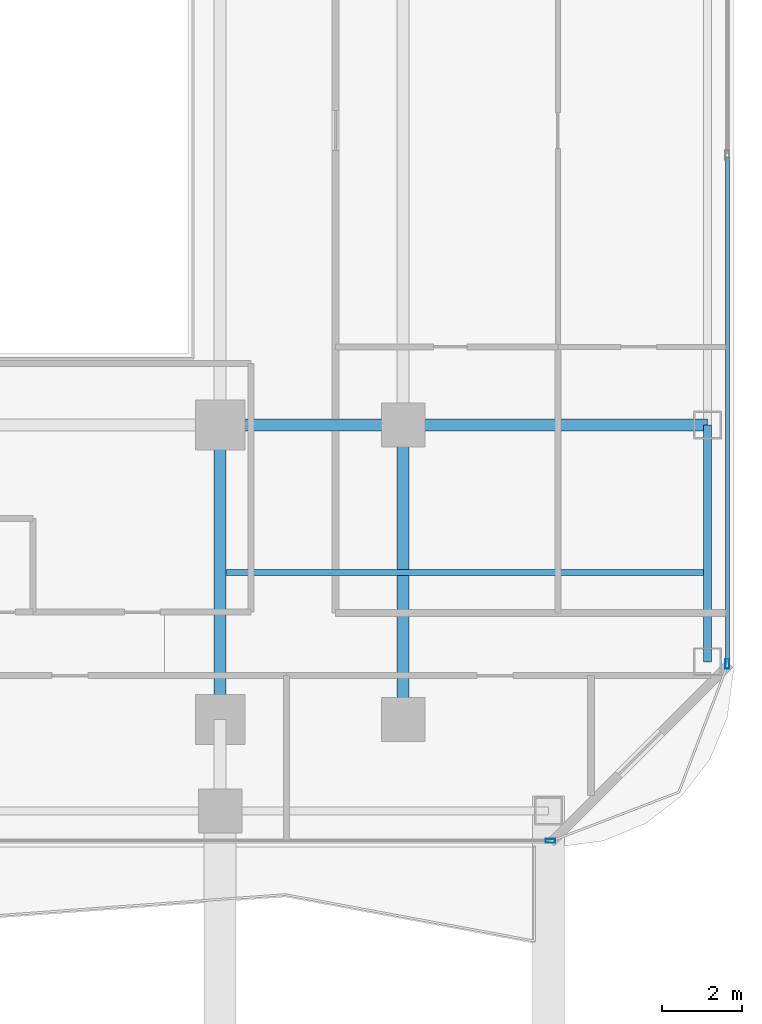
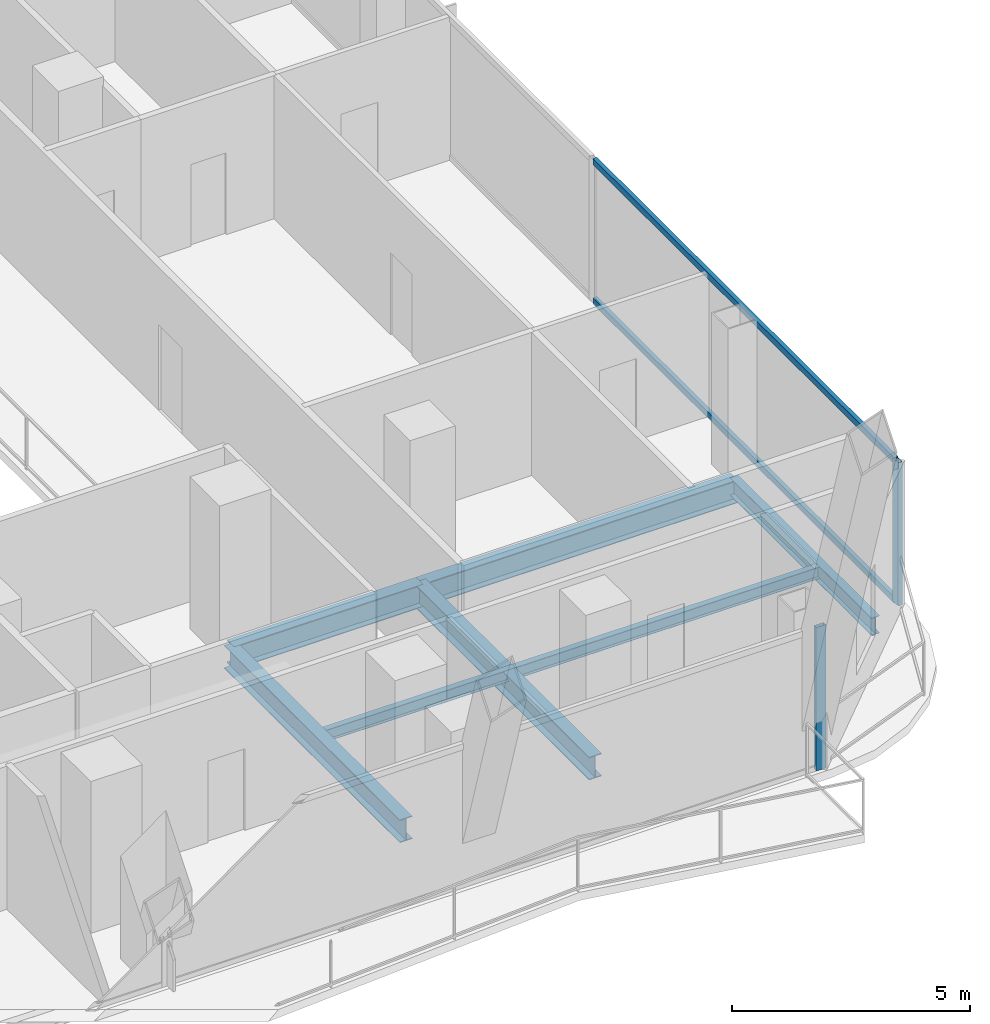
# One storey, part 8 of 30: 6 beams, 4 members, 2 elements without a shape of their own.
"""IFC4 building model written with IfcOpenShell, lengths in metres."""

import ifcopenshell
import ifcopenshell.guid

model = None  # the IFC model being written
_history = None  # IfcOwnerHistory: only IFC2X3 demands one
_inside = {}  # id of a spatial element -> (the spatial element, [elements in it])
_under = {}  # id of a project, library or spatial element -> (it, [spatial elements below it])
_declared = {}  # id of a project -> (the project, [libraries it declares])
_typed = {}  # id of a type object -> (the type object, [elements of that type])
_made_of = {}  # id of a material, layer set ... -> (it, [elements and type objects made of it])


def new_model(schema):
    """Start an empty IFC model of exactly this schema.

    Asked for "IFC4X3", IfcOpenShell would pick the latest addendum, in which some entities
    have other attributes; the version numbers below select the first issue.
    IFC2X3 requires an IfcOwnerHistory on every rooted entity: one is made here for all.
    """
    global model, _history
    if schema == "IFC4X3":
        model = ifcopenshell.file(schema_version=(4, 3, 0, 0))
    else:
        model = ifcopenshell.file(schema=schema)
    _inside.clear()
    _under.clear()
    _declared.clear()
    _typed.clear()
    _made_of.clear()
    _history = None
    if model.schema == "IFC2X3":
        org = make("IfcOrganization", Name="unknown")
        user = make(
            "IfcPersonAndOrganization",
            ThePerson=make("IfcPerson", FamilyName="unknown"),
            TheOrganization=org,
        )
        app = make(
            "IfcApplication",
            ApplicationDeveloper=org,
            Version="unknown",
            ApplicationFullName="unknown",
            ApplicationIdentifier="unknown",
        )
        _history = make(
            "IfcOwnerHistory",
            OwningUser=user,
            OwningApplication=app,
            ChangeAction="ADDED",
            CreationDate=0,
        )
    return model


def make(cls, **values):
    """One entity of the class cls with the attributes given. An attribute that is None is left unset."""
    return model.create_entity(
        cls, **{name: value for name, value in values.items() if value is not None}
    )


def rooted(cls, **values):
    """An entity with a GlobalId (a new one), such as an element, a storey or a relation."""
    return make(cls, GlobalId=ifcopenshell.guid.new(), OwnerHistory=_history, **values)


def si_unit(unit_type, name, prefix=None):
    """IfcSIUnit, for example si_unit("LENGTHUNIT", "METRE", prefix="MILLI")."""
    return make("IfcSIUnit", UnitType=unit_type, Prefix=prefix, Name=name)


def assignment(units):
    """IfcUnitAssignment: the units of a project."""
    return None if units is None else make("IfcUnitAssignment", Units=units)


def point(xyz):
    """IfcCartesianPoint."""
    return None if xyz is None else make("IfcCartesianPoint", Coordinates=xyz)


def direction(xyz):
    """IfcDirection."""
    return None if xyz is None else make("IfcDirection", DirectionRatios=xyz)


def frame(location, z_axis=None, x_axis=None):
    """IfcAxis2Placement3D, a coordinate frame: its origin and axes. An axis left out is left unset."""
    return make(
        "IfcAxis2Placement3D",
        Location=point(location),
        Axis=direction(z_axis),
        RefDirection=direction(x_axis),
    )


def frame_2d(location, x_axis=None):
    """IfcAxis2Placement2D, a coordinate frame in the plane: its origin and x axis."""
    return make(
        "IfcAxis2Placement2D", Location=point(location), RefDirection=direction(x_axis)
    )


def origin():
    """The frame at (0, 0, 0) with its axes left unset."""
    return frame((0.0, 0.0, 0.0))


def origin_2d():
    """The frame at (0, 0) in the plane with its x axis left unset."""
    return frame_2d((0.0, 0.0))


def place(relative_to, where):
    """IfcLocalPlacement: puts the frame where relative to a parent placement (None: the world)."""
    return make(
        "IfcLocalPlacement", PlacementRelTo=relative_to, RelativePlacement=where
    )


def context(
    kind, dimensions, precision=None, world=None, true_north=None, identifier=None
):
    """IfcGeometricRepresentationContext, for example the 3D "Model" context."""
    return make(
        "IfcGeometricRepresentationContext",
        ContextIdentifier=identifier,
        ContextType=kind,
        CoordinateSpaceDimension=dimensions,
        Precision=precision,
        WorldCoordinateSystem=world,
        TrueNorth=true_north,
    )


def subcontext(parent, identifier, kind, view, scale=None):
    """IfcGeometricRepresentationSubContext, for example "Body" below "Model"."""
    return make(
        "IfcGeometricRepresentationSubContext",
        ContextIdentifier=identifier,
        ContextType=kind,
        ParentContext=parent,
        TargetScale=scale,
        TargetView=view,
    )


def project(units=None, contexts=None):
    """IfcProject with its units and contexts."""
    return rooted(
        "IfcProject",
        Name="project",
        RepresentationContexts=contexts,
        UnitsInContext=assignment(units),
    )


def spatial(cls, under=None, at=None, **own):
    """A site, building, storey or space (cls), placed at a placement, below another one or the project."""
    s = rooted(cls, ObjectPlacement=at, **own)
    if under is not None:
        _under.setdefault(under.id(), (under, []))[1].append(s)
    return s


def profile(cls, at=None, kind="AREA", **sizes):
    """A parametric profile (cls). Its sizes go by their IFC names, for example OverallWidth=200.0."""
    return make(cls, ProfileType=kind, Position=at, **sizes)


def hollow_rectangle(**sizes):
    """IfcRectangleHollowProfileDef."""
    return profile("IfcRectangleHollowProfileDef", **sizes)


def i_section(**sizes):
    """IfcIShapeProfileDef."""
    return profile("IfcIShapeProfileDef", **sizes)


def extrude(swept, where, along, depth):
    """IfcExtrudedAreaSolid: the profile swept, set in the frame where, extruded along a direction by depth."""
    return make(
        "IfcExtrudedAreaSolid",
        SweptArea=swept,
        Position=where,
        ExtrudedDirection=direction(along),
        Depth=depth,
    )


def shape(context_of_items, identifier, shape_type, items):
    """IfcShapeRepresentation: the items that make up one representation, for example the "Body"."""
    return make(
        "IfcShapeRepresentation",
        ContextOfItems=context_of_items,
        RepresentationIdentifier=identifier,
        RepresentationType=shape_type,
        Items=items,
    )


def material(Name=None, Category=None):
    """IfcMaterial."""
    return make("IfcMaterial", Name=Name, Category=Category)


def layer(
    of_material, thickness, ventilated=None, Name=None, Category=None, Priority=None
):
    """IfcMaterialLayer: one layer of a wall or slab, of a material (None: an air gap)."""
    return make(
        "IfcMaterialLayer",
        Material=of_material,
        LayerThickness=thickness,
        IsVentilated=ventilated,
        Name=Name,
        Category=Category,
        Priority=Priority,
    )


def layer_set(layers, Name=None):
    """IfcMaterialLayerSet."""
    return make("IfcMaterialLayerSet", MaterialLayers=layers, LayerSetName=Name)


def material_profile(
    of_material, cross_section, Name=None, Category=None, Priority=None
):
    """IfcMaterialProfile: a cross section and its material."""
    return make(
        "IfcMaterialProfile",
        Name=Name,
        Material=of_material,
        Profile=cross_section,
        Priority=Priority,
        Category=Category,
    )


def profile_set(profiles, Name=None, composite=None):
    """IfcMaterialProfileSet."""
    return make(
        "IfcMaterialProfileSet",
        Name=Name,
        MaterialProfiles=profiles,
        CompositeProfile=composite,
    )


def made_of(thing, what):
    """Note that an element or type object is made of a material, layer set ...; save() writes the relation."""
    if what is not None:
        _made_of.setdefault(what.id(), (what, []))[1].append(thing)
    return thing


def type_object(cls, material=None, **own):
    """A type object (cls), such as IfcWallType, which elements share."""
    return made_of(rooted(cls, **own), material)


def element(
    cls,
    number,
    at=None,
    inside=None,
    cuts=None,
    type_object=None,
    material=None,
    context=None,
    identifier="Body",
    shape_type=None,
    held_by="IfcProductDefinitionShape",
    body=None,
    shapes=None,
    **own,
):
    """One element of the class cls, such as IfcWall. Its Tag is "e" and its number.

    at: its placement. inside: the storey or other place that contains it. cuts: it is an
    opening in that element (IfcRelVoidsElement). A single representation is given by context,
    identifier, shape_type and body (its items); several are given by shapes. held_by: the class
    of the entity that holds the representations. save() writes the other relations.
    """
    e = rooted(cls, Tag="e%d" % number, ObjectPlacement=at, **own)
    if body is not None:
        shapes = [shape(context, identifier, shape_type, body)]
    if shapes is not None:
        e.Representation = make(held_by, Representations=shapes)
    if inside is not None:
        _inside.setdefault(inside.id(), (inside, []))[1].append(e)
    if cuts is not None:
        rooted(
            "IfcRelVoidsElement", RelatingBuildingElement=cuts, RelatedOpeningElement=e
        )
    if type_object is not None:
        _typed.setdefault(type_object.id(), (type_object, []))[1].append(e)
    return made_of(e, material)


def aggregate(whole, parts):
    """IfcRelAggregates: a whole, such as a stair, and the parts it consists of."""
    return rooted("IfcRelAggregates", RelatingObject=whole, RelatedObjects=parts)


def save(model, path):
    """Write the relations noted so far, then the file.

    IfcRelAggregates (storeys below a building ...), IfcRelContainedInSpatialStructure (elements
    in a storey), IfcRelDefinesByType, IfcRelAssociatesMaterial and IfcRelDeclares: one each for
    every whole, place, type object, material and project.
    """
    for whole, parts in _under.values():
        aggregate(whole, parts)
    for where, things in _inside.values():
        rooted(
            "IfcRelContainedInSpatialStructure",
            RelatedElements=things,
            RelatingStructure=where,
        )
    for kind, things in _typed.values():
        rooted("IfcRelDefinesByType", RelatedObjects=things, RelatingType=kind)
    for what, things in _made_of.values():
        rooted("IfcRelAssociatesMaterial", RelatedObjects=things, RelatingMaterial=what)
    for by, libraries in _declared.values():
        rooted("IfcRelDeclares", RelatingContext=by, RelatedDefinitions=libraries)
    model.write(path)


model = new_model("IFC4")

# Units and contexts
model_context = context("Model", 3, precision=1e-05, world=origin(), true_north=direction((0.0, 1.0)))
body_context = subcontext(model_context, "Body", "Model", "MODEL_VIEW")
ifc_project = project(units=[si_unit("LENGTHUNIT", "METRE"), si_unit("AREAUNIT", "SQUARE_METRE"), si_unit("VOLUMEUNIT", "CUBIC_METRE"), si_unit("PLANEANGLEUNIT", "RADIAN"), si_unit("MASSUNIT", "GRAM", prefix="KILO")], contexts=[model_context])

# Site, building, storey
site_placement = place(None, origin())
site = spatial("IfcSite", under=ifc_project, at=site_placement, CompositionType="ELEMENT")
building_placement = place(site_placement, origin())
building = spatial("IfcBuilding", under=site, at=building_placement, Name="Khorvyn Point Tower", CompositionType="ELEMENT")
storey_placement = place(building_placement, frame((0.0, 0.0, 117.300048828125)))
storey = spatial("IfcBuildingStorey", under=building, at=storey_placement, Name="L29", CompositionType="ELEMENT", Elevation=117.300048828125)

# Curtain wall, member
ifc_material_1 = material(Name="Anodised aluminium 6063-T6 and laminated Low-E glass", Category="aluminium")
ifc_layer = layer(ifc_material_1, 0.18994140625)
ifc_layer_set = layer_set([ifc_layer], Name="Stick-Built Acoustic Curtain Wall CW-SYS-03")
curtain_wall_type = type_object("IfcCurtainWallType", Name="Stick-Built Acoustic Curtain Wall CW-SYS-03", PredefinedType="NOTDEFINED", material=ifc_layer_set)
curtain_wall_1_placement = place(storey_placement, origin())
curtain_wall_1 = element("IfcCurtainWall", 1, at=curtain_wall_1_placement, inside=storey, type_object=curtain_wall_type, Name="Curtain Wall", PredefinedType="NOTDEFINED")
ifc_material_2 = material(Name="Anodised aluminium 6063-T6", Category="aluminium")
ifc_material_profile_1 = material_profile(ifc_material_2, hollow_rectangle(XDim=0.10009765625, YDim=0.239990234375, WallThickness=0.0048828125, at=origin_2d()))
ifc_profile_set_1 = profile_set([ifc_material_profile_1], Name="Anodised aluminium 6063-T6 ALU-MUL-100x240")
member_type_1 = type_object("IfcMemberType", Name="Anodised Aluminium 6063-T6 Mullion ALU-MUL-100x240", PredefinedType="MULLION", material=ifc_profile_set_1)
member_1_placement = place(storey_placement, frame((23.10009765625, -17.85009765625, 0.0), z_axis=(0.0, 0.0, 1.0), x_axis=(0.0, -1.0, 0.0)))
member_1 = element("IfcMember", 2, at=member_1_placement, type_object=member_type_1, Name="Transom", PredefinedType="MULLION", context=body_context, shape_type="SweptSolid", body=[
    extrude(hollow_rectangle(XDim=0.10009765625, YDim=0.239990234375, WallThickness=0.0048828125, at=origin_2d()), origin(), (0.0, 0.0, 1.0), 3.679931640625),
])
aggregate(curtain_wall_1, [member_1])

# Curtain wall, members
curtain_wall_2_placement = place(storey_placement, origin())
curtain_wall_2 = element("IfcCurtainWall", 3, at=curtain_wall_2_placement, inside=storey, type_object=curtain_wall_type, Name="Curtain Wall", PredefinedType="NOTDEFINED")
member_2_placement = place(storey_placement, frame((27.550048828125, -13.39990234375, 0.0), z_axis=(0.0, 0.0, 1.0), x_axis=(1.0, 0.0, 0.0)))
member_2 = element("IfcMember", 4, at=member_2_placement, type_object=member_type_1, Name="Transom", PredefinedType="MULLION", context=body_context, shape_type="SweptSolid", body=[
    extrude(hollow_rectangle(XDim=0.10009765625, YDim=0.239990234375, WallThickness=0.0048828125, at=origin_2d()), origin(), (0.0, 0.0, 1.0), 3.679931640625),
])
ifc_material_profile_2 = material_profile(ifc_material_2, hollow_rectangle(XDim=0.10009765625, YDim=0.159912109375, WallThickness=0.00439453125, at=origin_2d()))
ifc_profile_set_2 = profile_set([ifc_material_profile_2], Name="Anodised aluminium 6063-T6 ALU-TRN-100x160")
member_type_2 = type_object("IfcMemberType", Name="Anodised Aluminium 6063-T6 Transom ALU-TRN-100x160", PredefinedType="USERDEFINED", material=ifc_profile_set_2)
member_3_placement = place(storey_placement, frame((27.550048828125, -0.666748046875, 0.050048828125), z_axis=(0.0, -1.0, 0.0), x_axis=(1.0, 0.0, 0.0)))
member_3 = element("IfcMember", 5, at=member_3_placement, type_object=member_type_2, Name="Transom", ObjectType="TRANSOM", PredefinedType="USERDEFINED", context=body_context, shape_type="SweptSolid", body=[
    extrude(hollow_rectangle(XDim=0.10009765625, YDim=0.159912109375, WallThickness=0.00439453125, at=origin_2d()), origin(), (0.0, 0.0, 1.0), 12.683349609375),
])
member_4_placement = place(storey_placement, frame((27.550048828125, -0.666748046875, 3.6298828125), z_axis=(0.0, -1.0, 0.0), x_axis=(1.0, 0.0, 0.0)))
member_4 = element("IfcMember", 6, at=member_4_placement, type_object=member_type_2, Name="Transom", ObjectType="TRANSOM", PredefinedType="USERDEFINED", context=body_context, shape_type="SweptSolid", body=[
    extrude(hollow_rectangle(XDim=0.10009765625, YDim=0.159912109375, WallThickness=0.00439453125, at=origin_2d()), origin(), (0.0, 0.0, 1.0), 12.683349609375),
])
aggregate(curtain_wall_2, [member_2, member_3, member_4])

# Beams
ifc_material_3 = material(Name="Steel S355", Category="steel")
ifc_material_profile_3 = material_profile(ifc_material_3, i_section(OverallWidth=0.300048828125, OverallDepth=0.587890625, WebThickness=0.011962890625, FlangeThickness=0.02001953125, at=origin_2d()))
ifc_profile_set_3 = profile_set([ifc_material_profile_3], Name="Steel S355 H588x300x12x20")
beam_type_1 = type_object("IfcBeamType", Name="Steel S355 Beam H588x300x12x20", PredefinedType="BEAM", material=ifc_profile_set_3)
beam_1_placement = place(storey_placement, frame((14.800048828125, -7.39990234375, -0.51416015625), z_axis=(1.0, 0.0, 0.0), x_axis=(0.0, 1.0, 0.0)))
element("IfcBeam", 7, at=beam_1_placement, inside=storey, type_object=beam_type_1, Name="Beam", PredefinedType="BEAM", context=body_context, shape_type="SweptSolid", body=[
    extrude(i_section(OverallWidth=0.300048828125, OverallDepth=0.587890625, WebThickness=0.011962890625, FlangeThickness=0.02001953125, at=origin_2d()), origin(), (0.0, 0.0, 1.0), 4.599853515625),
])
beam_2_placement = place(storey_placement, frame((19.39990234375, -7.39990234375, -0.51416015625), z_axis=(1.0, 0.0, 0.0), x_axis=(0.0, 1.0, 0.0)))
element("IfcBeam", 8, at=beam_2_placement, inside=storey, type_object=beam_type_1, Name="Beam", PredefinedType="BEAM", context=body_context, shape_type="SweptSolid", body=[
    extrude(i_section(OverallWidth=0.300048828125, OverallDepth=0.587890625, WebThickness=0.011962890625, FlangeThickness=0.02001953125, at=origin_2d()), origin(), (0.0, 0.0, 1.0), 7.650146484375),
])
for number, where, z_axis, x_axis, name in (
    (9, (14.800048828125, -14.800048828125, -0.51416015625), (0.0, 1.0, 0.0), (-1.0, 0.0, 0.0), "Beam"),
    (10, (19.39990234375, -14.800048828125, -0.51416015625), (0.0, 1.0, 0.0), (-1.0, 0.0, 0.0), "Beam"),
):
    element("IfcBeam", number, at=place(storey_placement, frame(where, z_axis=z_axis, x_axis=x_axis)), inside=storey, type_object=beam_type_1, Name=name, PredefinedType="BEAM", context=body_context, shape_type="SweptSolid", body=[
        extrude(i_section(OverallWidth=0.300048828125, OverallDepth=0.587890625, WebThickness=0.011962890625, FlangeThickness=0.02001953125, at=origin_2d()), origin(), (0.0, 0.0, 1.0), 7.400146484375),
    ])
ifc_material_profile_4 = material_profile(ifc_material_3, i_section(OverallWidth=0.14990234375, OverallDepth=0.300048828125, WebThickness=0.006591796875, FlangeThickness=0.009033203125, at=origin_2d()))
ifc_profile_set_4 = profile_set([ifc_material_profile_4], Name="Steel S355 H300x150x6.5x9")
beam_type_2 = type_object("IfcBeamType", Name="Steel S355 Joist H300x150x6.5x9", PredefinedType="JOIST", material=ifc_profile_set_4)
beam_3_placement = place(storey_placement, frame((14.949951171875, -11.10009765625, -0.3701171875), z_axis=(1.0, 0.0, 0.0), x_axis=(0.0, 1.0, 0.0)))
element("IfcBeam", 11, at=beam_3_placement, inside=storey, type_object=beam_type_2, Name="Beam", PredefinedType="JOIST", context=body_context, shape_type="SweptSolid", body=[
    extrude(i_section(OverallWidth=0.14990234375, OverallDepth=0.300048828125, WebThickness=0.006591796875, FlangeThickness=0.009033203125, at=origin_2d()), origin(), (0.0, 0.0, 1.0), 12.0),
])
ifc_material_profile_5 = material_profile(ifc_material_3, i_section(OverallWidth=0.199951171875, OverallDepth=0.449951171875, WebThickness=0.009033203125, FlangeThickness=0.013916015625, at=origin_2d()))
ifc_profile_set_5 = profile_set([ifc_material_profile_5], Name="Steel S355 H450x200x9x14")
beam_type_3 = type_object("IfcBeamType", Name="Steel S355 Spandrel H450x200x9x14", PredefinedType="SPANDREL", material=ifc_profile_set_5)
beam_4_placement = place(storey_placement, frame((27.050048828125, -13.35009765625, -0.445068359375), z_axis=(0.0, 1.0, 0.0), x_axis=(-1.0, 0.0, 0.0)))
element("IfcBeam", 12, at=beam_4_placement, inside=storey, type_object=beam_type_3, Name="Beam", PredefinedType="SPANDREL", context=body_context, shape_type="SweptSolid", body=[
    extrude(i_section(OverallWidth=0.199951171875, OverallDepth=0.449951171875, WebThickness=0.009033203125, FlangeThickness=0.013916015625, at=origin_2d()), origin(), (0.0, 0.0, 1.0), 5.9501953125),
])

save(model, "model.ifc")
